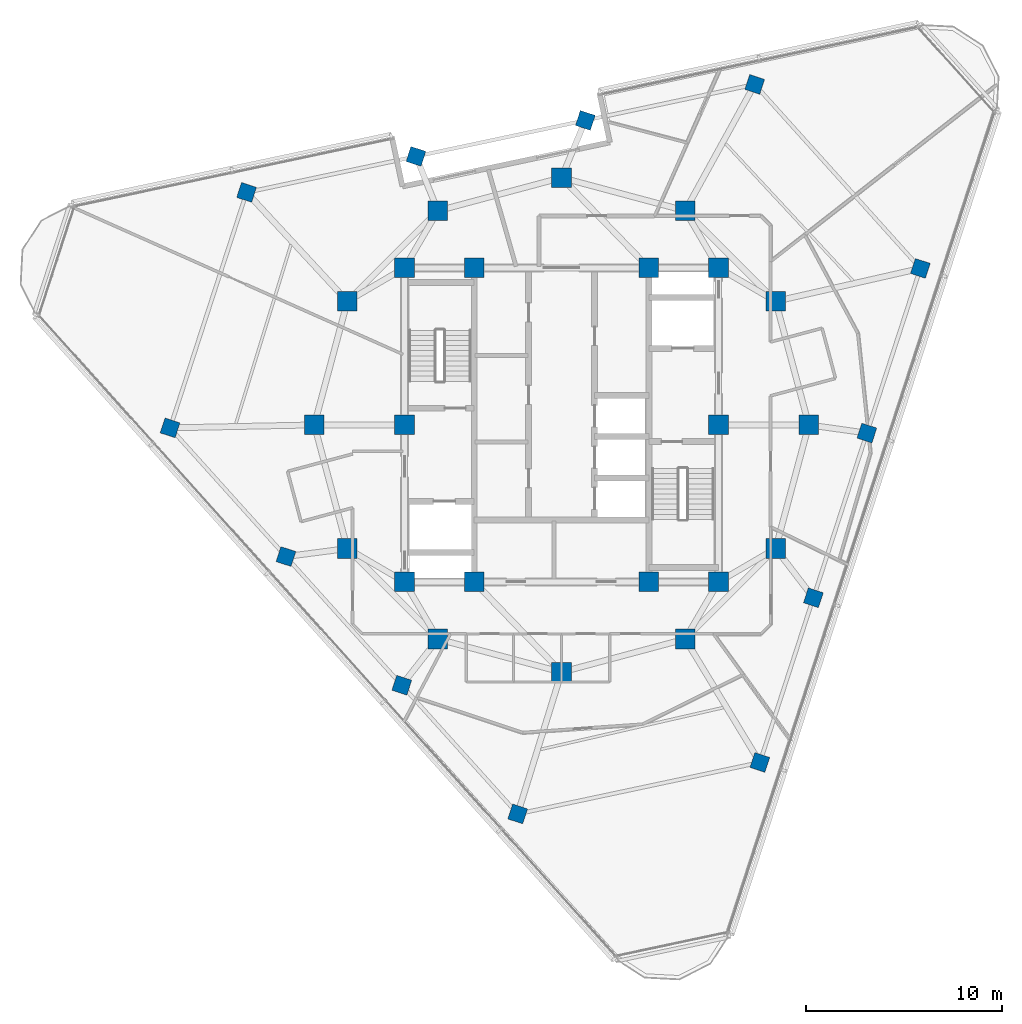
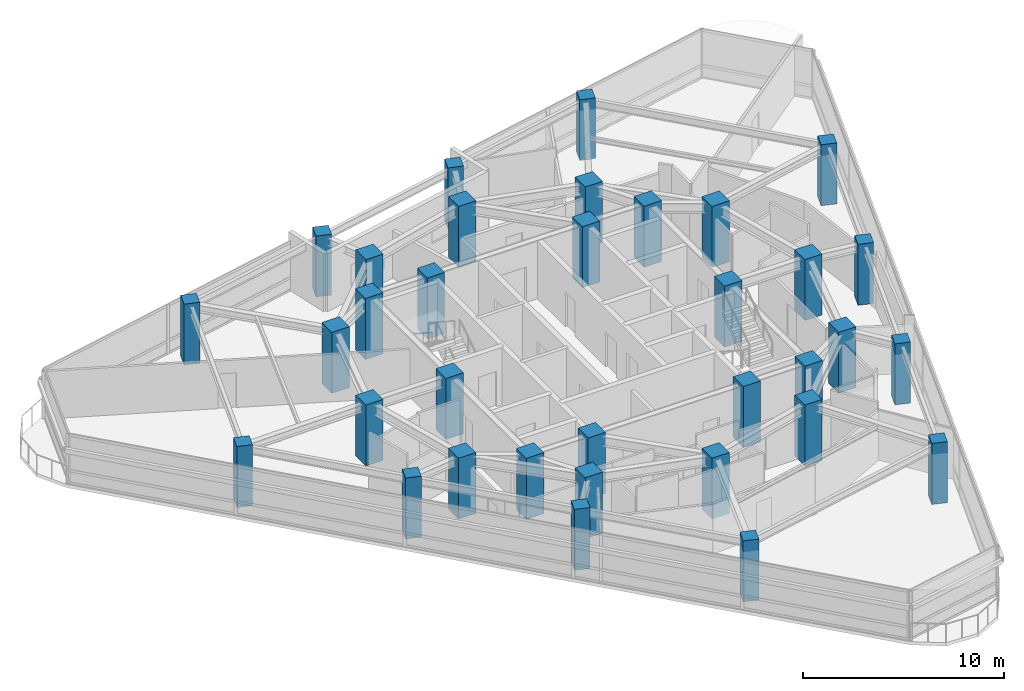
# One storey, part 1 of 15: 34 columns.
"""IFC4 building model written with IfcOpenShell, lengths in metres."""

from ifc_helpers import new_model, si_unit, direction, frame, origin, origin_2d, place, context, subcontext, project, spatial, rectangle, extrude, material, material_profile, profile_set, type_object, element, save


model = new_model("IFC4")

# Units and contexts
model_context = context("Model", 3, precision=1e-05, world=origin(), true_north=direction((0.0, 1.0)))
body_context = subcontext(model_context, "Body", "Model", "MODEL_VIEW")
ifc_project = project(units=[si_unit("LENGTHUNIT", "METRE"), si_unit("AREAUNIT", "SQUARE_METRE"), si_unit("VOLUMEUNIT", "CUBIC_METRE"), si_unit("PLANEANGLEUNIT", "RADIAN"), si_unit("MASSUNIT", "GRAM", prefix="KILO")], contexts=[model_context])

# Site, building, storey
site_placement = place(None, origin())
site = spatial("IfcSite", under=ifc_project, at=site_placement, CompositionType="ELEMENT")
building_placement = place(site_placement, origin())
building = spatial("IfcBuilding", under=site, at=building_placement, Name="Terralouvre Media Tower", CompositionType="ELEMENT")
storey_placement = place(building_placement, frame((0.0, 0.0, 294.300048828125)))
storey = spatial("IfcBuildingStorey", under=building, at=storey_placement, Name="L76", CompositionType="ELEMENT", Elevation=294.300048828125)

# Columns
ifc_material_1 = material(Name="Concrete C50/60", Category="concrete")
ifc_material_profile_1 = material_profile(ifc_material_1, rectangle(XDim=1.0, YDim=1.0, at=origin_2d()), Name="RC 1000x1000")
ifc_profile_set_1 = profile_set([ifc_material_profile_1], Name="Concrete C50/60")
column_type_1 = type_object("IfcColumnType", Name="Structural Column C-RC1000 (RC 1000x1000)", PredefinedType="COLUMN", material=ifc_profile_set_1)
for number, where, z_axis, x_axis, name in (
    (1, (-8.0, -8.0, 0.0), (0.0, 0.0, 1.0), (1.0, 0.0, 0.0), "L76 Core Pilaster Column CP1"),
    (2, (-4.449951171875, -8.0, 0.0), (0.0, 0.0, 1.0), (1.0, 0.0, 0.0), "L76 Core Pilaster Column CP2"),
    (3, (4.449951171875, -8.0, 0.0), (0.0, 0.0, 1.0), (1.0, 0.0, 0.0), "L76 Core Pilaster Column CP10"),
    (4, (8.0, -8.0, 0.0), (0.0, 0.0, 1.0), (1.0, 0.0, 0.0), "L76 Core Pilaster Column CP3"),
    (5, (8.0, 0.0, 0.0), (0.0, 0.0, 1.0), (1.0, 0.0, 0.0), "L76 Core Pilaster Column CP4"),
    (6, (8.0, 8.0, 0.0), (0.0, 0.0, 1.0), (1.0, 0.0, 0.0), "L76 Core Pilaster Column CP5"),
    (7, (4.449951171875, 8.0, 0.0), (0.0, 0.0, 1.0), (1.0, 0.0, 0.0), "L76 Core Pilaster Column CP9"),
    (8, (-4.449951171875, 8.0, 0.0), (0.0, 0.0, 1.0), (1.0, 0.0, 0.0), "L76 Core Pilaster Column CP6"),
    (9, (-8.0, 8.0, 0.0), (0.0, 0.0, 1.0), (1.0, 0.0, 0.0), "L76 Core Pilaster Column CP7"),
    (10, (-8.0, 0.0, 0.0), (0.0, 0.0, 1.0), (1.0, 0.0, 0.0), "L76 Core Pilaster Column CP8"),
    (11, (12.60009765625, 0.0, 0.0), (0.0, 0.0, 1.0), (1.0, 0.0, 0.0), "L76 Mega-Frame Column MC01"),
    (12, (10.911865234375, 6.300048828125, 0.0), (0.0, 0.0, 1.0), (1.0, 0.0, 0.0), "L76 Mega-Frame Column MC02"),
    (13, (6.300048828125, 10.911865234375, 0.0), (0.0, 0.0, 1.0), (1.0, 0.0, 0.0), "L76 Mega-Frame Column MC03"),
    (14, (0.0, 12.60009765625, 0.0), (0.0, 0.0, 1.0), (1.0, 0.0, 0.0), "L76 Mega-Frame Column MC04"),
    (15, (-6.300048828125, 10.911865234375, 0.0), (0.0, 0.0, 1.0), (1.0, 0.0, 0.0), "L76 Mega-Frame Column MC05"),
    (16, (-10.911865234375, 6.300048828125, 0.0), (0.0, 0.0, 1.0), (1.0, 0.0, 0.0), "L76 Mega-Frame Column MC06"),
    (17, (-12.60009765625, 0.0, 0.0), (0.0, 0.0, 1.0), (1.0, 0.0, 0.0), "L76 Mega-Frame Column MC07"),
    (18, (-10.911865234375, -6.300048828125, 0.0), (0.0, 0.0, 1.0), (1.0, 0.0, 0.0), "L76 Mega-Frame Column MC08"),
    (19, (-6.300048828125, -10.911865234375, 0.0), (0.0, 0.0, 1.0), (1.0, 0.0, 0.0), "L76 Mega-Frame Column MC09"),
    (20, (0.0, -12.60009765625, 0.0), (0.0, 0.0, 1.0), (1.0, 0.0, 0.0), "L76 Mega-Frame Column MC10"),
    (21, (6.300048828125, -10.911865234375, 0.0), (0.0, 0.0, 1.0), (1.0, 0.0, 0.0), "L76 Mega-Frame Column MC11"),
    (22, (10.911865234375, -6.300048828125, 0.0), (0.0, 0.0, 1.0), (1.0, 0.0, 0.0), "L76 Mega-Frame Column MC12"),
):
    element("IfcColumn", number, at=place(storey_placement, frame(where, z_axis=z_axis, x_axis=x_axis)), inside=storey, type_object=column_type_1, Name=name, PredefinedType="COLUMN", context=body_context, shape_type="SweptSolid", body=[
        extrude(rectangle(XDim=1.0, YDim=1.0, at=origin_2d()), origin(), (0.0, 0.0, 1.0), 3.699951171875),
    ])
ifc_material_2 = material(Name="Concrete C50/60", Category="concrete")
ifc_material_profile_2 = material_profile(ifc_material_2, rectangle(XDim=0.800048828125, YDim=0.800048828125, at=origin_2d()), Name="RC 800x800")
ifc_profile_set_2 = profile_set([ifc_material_profile_2], Name="Concrete C50/60")
column_type_2 = type_object("IfcColumnType", Name="Structural Column C-RC800 (RC 800x800)", PredefinedType="COLUMN", material=ifc_profile_set_2)
for number, where, z_axis, x_axis, name in (
    (23, (10.105712890625, -17.20068359375, 0.0), (0.0, 0.0, 1.0), (0.309016994375, 0.951056516295, 0.0), "L76 Perimeter Mega-Column PC11"),
    (24, (12.83251953125, -8.80859375, 0.0), (0.0, 0.0, 1.0), (0.309016994375, 0.951056516295, 0.0), "L76 Perimeter Mega-Column PC12"),
    (25, (15.55908203125, -0.41650390625, 0.0), (0.0, 0.0, 1.0), (0.309016994375, 0.951056516295, 0.0), "L76 Perimeter Mega-Column PC13"),
    (26, (18.285888671875, 7.9755859375, 0.0), (0.0, 0.0, 1.0), (0.309016994375, 0.951056516295, 0.0), "L76 Perimeter Mega-Column PC14"),
    (27, (9.843505859375, 17.35205078125, 0.0), (0.0, 0.0, 1.0), (0.309016994375, 0.951056516295, 0.0), "L76 Perimeter Mega-Column PC21"),
    (28, (1.212158203125, 15.517578125, 0.0), (0.0, 0.0, 1.0), (0.309016994375, 0.951056516295, 0.0), "L76 Perimeter Mega-Column PC22"),
    (29, (-7.4189453125, 13.682861328125, 0.0), (0.0, 0.0, 1.0), (0.309016994375, 0.951056516295, 0.0), "L76 Perimeter Mega-Column PC23"),
    (30, (-16.050048828125, 11.84814453125, 0.0), (0.0, 0.0, 1.0), (0.309016994375, 0.951056516295, 0.0), "L76 Perimeter Mega-Column PC24"),
    (31, (-19.948974609375, -0.1513671875, 0.0), (0.0, 0.0, 1.0), (0.309016994375, 0.951056516295, 0.0), "L76 Perimeter Mega-Column PC31"),
    (32, (-14.044677734375, -6.708984375, 0.0), (0.0, 0.0, 1.0), (0.309016994375, 0.951056516295, 0.0), "L76 Perimeter Mega-Column PC32"),
    (33, (-8.14013671875, -13.266357421875, 0.0), (0.0, 0.0, 1.0), (0.309016994375, 0.951056516295, 0.0), "L76 Perimeter Mega-Column PC33"),
    (34, (-2.23583984375, -19.823974609375, 0.0), (0.0, 0.0, 1.0), (0.309016994375, 0.951056516295, 0.0), "L76 Perimeter Mega-Column PC34"),
):
    element("IfcColumn", number, at=place(storey_placement, frame(where, z_axis=z_axis, x_axis=x_axis)), inside=storey, type_object=column_type_2, Name=name, PredefinedType="COLUMN", context=body_context, shape_type="SweptSolid", body=[
        extrude(rectangle(XDim=0.800048828125, YDim=0.800048828125, at=origin_2d()), origin(), (0.0, 0.0, 1.0), 3.699951171875),
    ])

save(model, "model.ifc")
